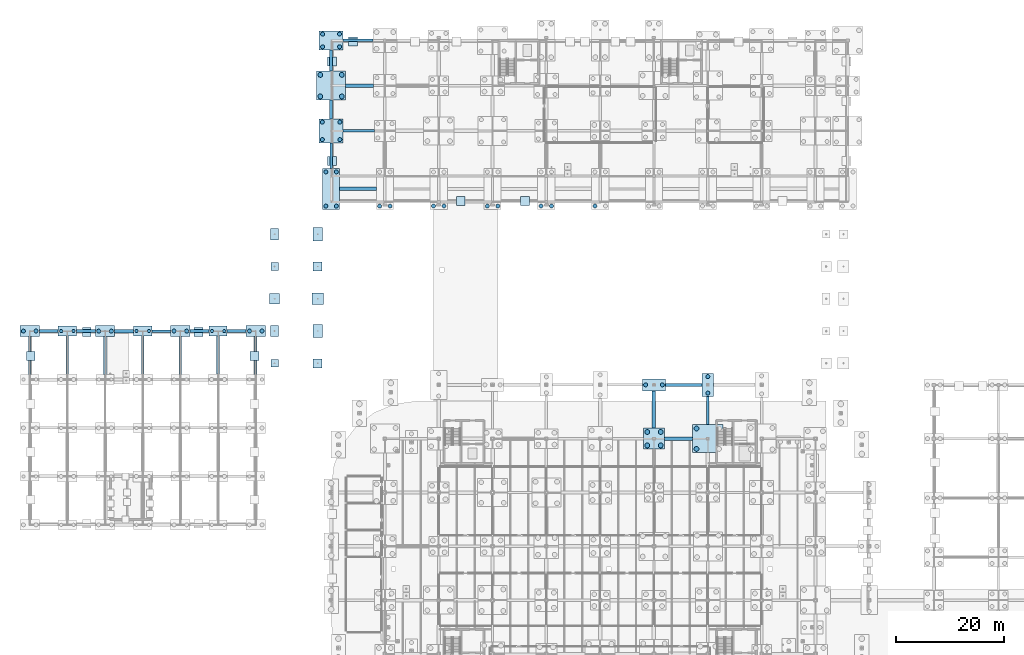
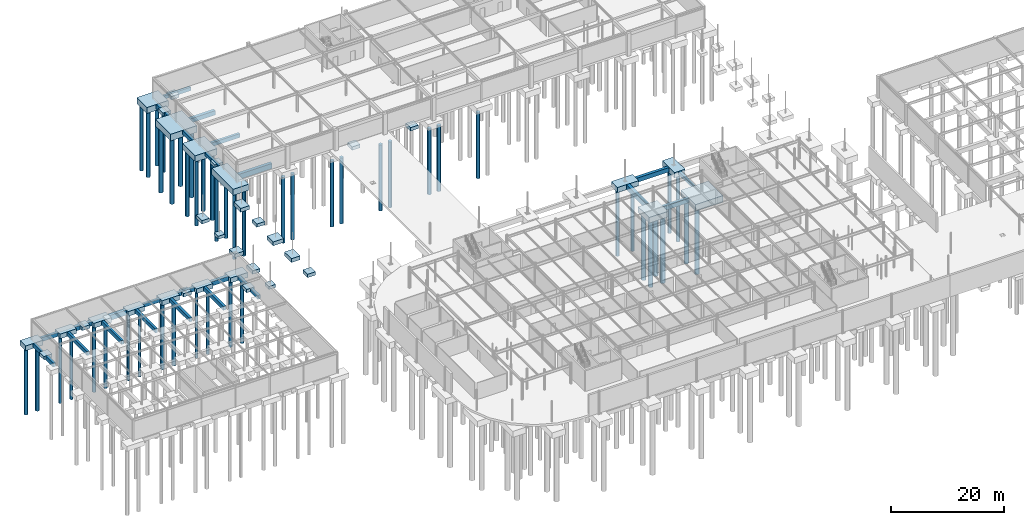
# One storey, part 5 of 75: 58 footings, 49 piles.
"""IFC4 building model written with IfcOpenShell, lengths in metres."""

from ifc_helpers import new_model, si_unit, derived_unit, direction, frame, origin, origin_2d_with_axis, place, context, subcontext, project, spatial, rectangle, circle, extrude, material, layer, layer_set, material_profile, profile_set, type_object, element, save


model = new_model("IFC4")

# Units and contexts
model_context = context("Model", 3, precision=1e-05, world=origin(), true_north=direction((0.0, 1.0)))
body_context = subcontext(model_context, "Body", "Model", "MODEL_VIEW")
ifc_project = project(units=[si_unit("LENGTHUNIT", "METRE"), si_unit("AREAUNIT", "SQUARE_METRE"), si_unit("VOLUMEUNIT", "CUBIC_METRE"), si_unit("PLANEANGLEUNIT", "RADIAN"), si_unit("MASSUNIT", "GRAM", prefix="KILO"), derived_unit("THERMALTRANSMITTANCEUNIT", [(si_unit("POWERUNIT", "WATT"), 1), (si_unit("LENGTHUNIT", "METRE"), -2), (si_unit("THERMODYNAMICTEMPERATUREUNIT", "KELVIN"), -1)])], contexts=[model_context])

# Site, building, storey
site_placement = place(None, origin())
site = spatial("IfcSite", under=ifc_project, at=site_placement, CompositionType="ELEMENT")
building_placement = place(site_placement, origin())
building = spatial("IfcBuilding", under=site, at=building_placement, Name="Cinnabar Yard Market Hall", CompositionType="ELEMENT")
storey_placement = place(building_placement, frame((0.0, 0.0, -4.5)))
storey = spatial("IfcBuildingStorey", under=building, at=storey_placement, Name="B1", CompositionType="ELEMENT", Elevation=-4.5)

# Footings
ifc_material = material(Name="Concrete 40 MPa", Category="concrete")
ifc_material_profile_1 = material_profile(ifc_material, rectangle(XDim=0.449951171875, YDim=0.75, at=origin_2d_with_axis()), Name="GB-450x750")
ifc_profile_set_1 = profile_set([ifc_material_profile_1], Name="Concrete 40 MPa")
footing_type_1 = type_object("IfcFootingType", Name="FT-GB01", PredefinedType="FOOTING_BEAM", material=ifc_profile_set_1)
footing_1_placement = place(storey_placement, frame((32.699951171875, 84.0, -0.824951171875), z_axis=(1.0, 0.0, 0.0), x_axis=(0.0, 1.0, 0.0)))
element("IfcFooting", 1, at=footing_1_placement, inside=storey, type_object=footing_type_1, Name="Ground Beam X 0108", PredefinedType="FOOTING_BEAM", context=body_context, shape_type="SweptSolid", body=[
    extrude(rectangle(XDim=0.449951171875, YDim=0.75, at=origin_2d_with_axis()), origin(), (0.0, 0.0, 1.0), 3.5),
])
footing_2_placement = place(storey_placement, frame((68.199951171875, 138.0, -0.824951171875), z_axis=(1.0, 0.0, 0.0), x_axis=(0.0, 1.0, 0.0)))
element("IfcFooting", 2, at=footing_2_placement, inside=storey, type_object=footing_type_1, Name="Ground Beam X 0140", PredefinedType="FOOTING_BEAM", context=body_context, shape_type="SweptSolid", body=[
    extrude(rectangle(XDim=0.449951171875, YDim=0.75, at=origin_2d_with_axis()), origin(), (0.0, 0.0, 1.0), 5.550048828125),
])
footing_3_placement = place(storey_placement, frame((66.0, 114.199951171875, -0.824951171875), z_axis=(0.0, 1.0, 0.0), x_axis=(-1.0, 0.0, 0.0)))
element("IfcFooting", 3, at=footing_3_placement, inside=storey, type_object=footing_type_1, Name="Ground Beam Y 0180", PredefinedType="FOOTING_BEAM", context=body_context, shape_type="SweptSolid", body=[
    extrude(rectangle(XDim=0.449951171875, YDim=0.75, at=origin_2d_with_axis()), origin(), (0.0, 0.0, 1.0), 4.75),
])
footing_4_placement = place(storey_placement, frame((136.0, 66.60009765625, -0.824951171875), z_axis=(0.0, 1.0, 0.0), x_axis=(-1.0, 0.0, 0.0)))
element("IfcFooting", 4, at=footing_4_placement, inside=storey, type_object=footing_type_1, Name="Ground Beam Y 0240", PredefinedType="FOOTING_BEAM", context=body_context, shape_type="SweptSolid", body=[
    extrude(rectangle(XDim=0.449951171875, YDim=0.75, at=origin_2d_with_axis()), origin(), (0.0, 0.0, 1.0), 5.25),
])
ifc_material_profile_2 = material_profile(ifc_material, rectangle(XDim=0.5, YDim=0.85009765625, at=origin_2d_with_axis()), Name="GB-500x850")
ifc_profile_set_2 = profile_set([ifc_material_profile_2], Name="Concrete 40 MPa")
footing_type_2 = type_object("IfcFootingType", Name="FT-GB02", PredefinedType="FOOTING_BEAM", material=ifc_profile_set_2)
for number, where, z_axis, x_axis, name in (
    (5, (11.800048828125, 84.0, -0.875), (1.0, 0.0, 0.0), (0.0, 1.0, 0.0), "Ground Beam X 0105"),
    (6, (39.800048828125, 84.0, -0.875), (1.0, 0.0, 0.0), (0.0, 1.0, 0.0), "Ground Beam X 0109"),
):
    element("IfcFooting", number, at=place(storey_placement, frame(where, z_axis=z_axis, x_axis=x_axis)), inside=storey, type_object=footing_type_2, Name=name, PredefinedType="FOOTING_BEAM", context=body_context, shape_type="SweptSolid", body=[
        extrude(rectangle(XDim=0.5, YDim=0.85009765625, at=origin_2d_with_axis()), origin(), (0.0, 0.0, 1.0), 3.5),
    ])
footing_5_placement = place(storey_placement, frame((68.25, 121.199951171875, -0.875), z_axis=(1.0, 0.0, 0.0), x_axis=(0.0, 1.0, 0.0)))
element("IfcFooting", 7, at=footing_5_placement, inside=storey, type_object=footing_type_2, Name="Ground Beam X 0121", PredefinedType="FOOTING_BEAM", context=body_context, shape_type="SweptSolid", body=[
    extrude(rectangle(XDim=0.5, YDim=0.85009765625, at=origin_2d_with_axis()), origin(), (0.0, 0.0, 1.0), 5.800048828125),
])
for number, where, z_axis, x_axis, name in (
    (8, (10.0, 75.89990234375, -0.875), (0.0, 1.0, 0.0), (-1.0, 0.0, 0.0), "Ground Beam Y 0153"),
    (9, (17.0, 76.0, -0.875), (0.0, 1.0, 0.0), (-1.0, 0.0, 0.0), "Ground Beam Y 0157"),
    (10, (24.0, 75.89990234375, -0.875), (0.0, 1.0, 0.0), (-1.0, 0.0, 0.0), "Ground Beam Y 0161"),
    (11, (31.0, 76.0, -0.875), (0.0, 1.0, 0.0), (-1.0, 0.0, 0.0), "Ground Beam Y 0165"),
    (12, (38.0, 75.89990234375, -0.875), (0.0, 1.0, 0.0), (-1.0, 0.0, 0.0), "Ground Beam Y 0169"),
    (13, (45.0, 76.0, -0.875), (0.0, 1.0, 0.0), (-1.0, 0.0, 0.0), "Ground Beam Y 0173"),
    (14, (52.0, 75.89990234375, -0.875), (0.0, 1.0, 0.0), (-1.0, 0.0, 0.0), "Ground Beam Y 0177"),
):
    element("IfcFooting", number, at=place(storey_placement, frame(where, z_axis=z_axis, x_axis=x_axis)), inside=storey, type_object=footing_type_2, Name=name, PredefinedType="FOOTING_BEAM", context=body_context, shape_type="SweptSolid", body=[
        extrude(rectangle(XDim=0.5, YDim=0.85009765625, at=origin_2d_with_axis()), origin(), (0.0, 0.0, 1.0), 7.10009765625),
    ])
footing_6_placement = place(storey_placement, frame((66.0, 123.449951171875, -0.875), z_axis=(0.0, 1.0, 0.0), x_axis=(-1.0, 0.0, 0.0)))
element("IfcFooting", 15, at=footing_6_placement, inside=storey, type_object=footing_type_2, Name="Ground Beam Y 0181", PredefinedType="FOOTING_BEAM", context=body_context, shape_type="SweptSolid", body=[
    extrude(rectangle(XDim=0.5, YDim=0.85009765625, at=origin_2d_with_axis()), origin(), (0.0, 0.0, 1.0), 3.449951171875),
])
ifc_material_profile_3 = material_profile(ifc_material, rectangle(XDim=0.60009765625, YDim=0.949951171875, at=origin_2d_with_axis()), Name="GB-600x950")
ifc_profile_set_3 = profile_set([ifc_material_profile_3], Name="Concrete 40 MPa")
footing_type_3 = type_object("IfcFootingType", Name="FT-GB03", PredefinedType="FOOTING_BEAM", material=ifc_profile_set_3)
footing_7_placement = place(storey_placement, frame((127.949951171875, 64.0, -0.925048828125), z_axis=(1.0, 0.0, 0.0), x_axis=(0.0, 1.0, 0.0)))
element("IfcFooting", 16, at=footing_7_placement, inside=storey, type_object=footing_type_3, Name="Ground Beam X 0078", PredefinedType="FOOTING_BEAM", context=body_context, shape_type="SweptSolid", body=[
    extrude(rectangle(XDim=0.60009765625, YDim=0.949951171875, at=origin_2d_with_axis()), origin(), (0.0, 0.0, 1.0), 5.25),
])
footing_8_placement = place(storey_placement, frame((128.175048828125, 74.0, -0.925048828125), z_axis=(1.0, 0.0, 0.0), x_axis=(0.0, 1.0, 0.0)))
element("IfcFooting", 17, at=footing_8_placement, inside=storey, type_object=footing_type_3, Name="Ground Beam X 0094", PredefinedType="FOOTING_BEAM", context=body_context, shape_type="SweptSolid", body=[
    extrude(rectangle(XDim=0.60009765625, YDim=0.949951171875, at=origin_2d_with_axis()), origin(), (0.0, 0.0, 1.0), 6.724853515625),
])
for number, where, z_axis, x_axis, name in (
    (18, (18.699951171875, 84.0, -0.925048828125), (1.0, 0.0, 0.0), (0.0, 1.0, 0.0), "Ground Beam X 0106"),
    (19, (46.699951171875, 84.0, -0.925048828125), (1.0, 0.0, 0.0), (0.0, 1.0, 0.0), "Ground Beam X 0110"),
):
    element("IfcFooting", number, at=place(storey_placement, frame(where, z_axis=z_axis, x_axis=x_axis)), inside=storey, type_object=footing_type_3, Name=name, PredefinedType="FOOTING_BEAM", context=body_context, shape_type="SweptSolid", body=[
        extrude(rectangle(XDim=0.60009765625, YDim=0.949951171875, at=origin_2d_with_axis()), origin(), (0.0, 0.0, 1.0), 3.5),
    ])
footing_9_placement = place(storey_placement, frame((68.699951171875, 129.60009765625, -0.925048828125), z_axis=(1.0, 0.0, 0.0), x_axis=(0.0, 1.0, 0.0)))
element("IfcFooting", 20, at=footing_9_placement, inside=storey, type_object=footing_type_3, Name="Ground Beam X 0130", PredefinedType="FOOTING_BEAM", context=body_context, shape_type="SweptSolid", body=[
    extrude(rectangle(XDim=0.60009765625, YDim=0.949951171875, at=origin_2d_with_axis()), origin(), (0.0, 0.0, 1.0), 5.199951171875),
])
footing_10_placement = place(storey_placement, frame((66.0, 132.300048828125, -0.925048828125), z_axis=(0.0, 1.0, 0.0), x_axis=(-1.0, 0.0, 0.0)))
element("IfcFooting", 21, at=footing_10_placement, inside=storey, type_object=footing_type_3, Name="Ground Beam Y 0182", PredefinedType="FOOTING_BEAM", context=body_context, shape_type="SweptSolid", body=[
    extrude(rectangle(XDim=0.60009765625, YDim=0.949951171875, at=origin_2d_with_axis()), origin(), (0.0, 0.0, 1.0), 3.89990234375),
])
ifc_material_profile_4 = material_profile(ifc_material, rectangle(XDim=0.64990234375, YDim=1.10009765625, at=origin_2d_with_axis()), Name="GB-650x1100")
ifc_profile_set_4 = profile_set([ifc_material_profile_4], Name="Concrete 40 MPa")
footing_type_4 = type_object("IfcFootingType", Name="FT-GB04", PredefinedType="FOOTING_BEAM", material=ifc_profile_set_4)
footing_11_placement = place(storey_placement, frame((25.800048828125, 84.0, -1.0), z_axis=(1.0, 0.0, 0.0), x_axis=(0.0, 1.0, 0.0)))
element("IfcFooting", 22, at=footing_11_placement, inside=storey, type_object=footing_type_4, Name="Ground Beam X 0107", PredefinedType="FOOTING_BEAM", context=body_context, shape_type="SweptSolid", body=[
    extrude(rectangle(XDim=0.64990234375, YDim=1.10009765625, at=origin_2d_with_axis()), origin(), (0.0, 0.0, 1.0), 3.5),
])
footing_12_placement = place(storey_placement, frame((67.60009765625, 110.39990234375, -1.0), z_axis=(1.0, 0.0, 0.0), x_axis=(0.0, 1.0, 0.0)))
element("IfcFooting", 23, at=footing_12_placement, inside=storey, type_object=footing_type_4, Name="Ground Beam X 0111", PredefinedType="FOOTING_BEAM", context=body_context, shape_type="SweptSolid", body=[
    extrude(rectangle(XDim=0.64990234375, YDim=1.10009765625, at=origin_2d_with_axis()), origin(), (0.0, 0.0, 1.0), 6.7998046875),
])
footing_13_placement = place(storey_placement, frame((126.0, 65.949951171875, -1.0), z_axis=(0.0, 1.0, 0.0), x_axis=(-1.0, 0.0, 0.0)))
element("IfcFooting", 24, at=footing_13_placement, inside=storey, type_object=footing_type_4, Name="Ground Beam Y 0231", PredefinedType="FOOTING_BEAM", context=body_context, shape_type="SweptSolid", body=[
    extrude(rectangle(XDim=0.64990234375, YDim=1.10009765625, at=origin_2d_with_axis()), origin(), (0.0, 0.0, 1.0), 6.949951171875),
])
ifc_layer_1 = layer(ifc_material, 1.0)
ifc_layer_set_1 = layer_set([ifc_layer_1], Name="Concrete 40 MPa")
footing_type_5 = type_object("IfcFootingType", Name="FT-PC01", PredefinedType="PILE_CAP", material=ifc_layer_set_1)
for number, where, z_axis, x_axis, name in (
    (25, (17.0, 84.0, -1.449951171875), (0.0, 0.0, 1.0), (1.0, 0.0, 0.0), "Pile Cap V2-02-05"),
    (26, (31.0, 84.0, -1.449951171875), (0.0, 0.0, 1.0), (1.0, 0.0, 0.0), "Pile Cap V2-04-05"),
    (27, (45.0, 84.0, -1.449951171875), (0.0, 0.0, 1.0), (1.0, 0.0, 0.0), "Pile Cap V2-06-05"),
):
    element("IfcFooting", number, at=place(storey_placement, frame(where, z_axis=z_axis, x_axis=x_axis)), inside=storey, type_object=footing_type_5, Name=name, PredefinedType="PILE_CAP", context=body_context, shape_type="SweptSolid", body=[
        extrude(rectangle(XDim=3.39990234375, YDim=1.800048828125, at=origin_2d_with_axis()), origin(), (0.0, 0.0, 1.0), 1.0),
    ])
ifc_layer_2 = layer(ifc_material, 1.050048828125)
ifc_layer_set_2 = layer_set([ifc_layer_2], Name="Concrete 40 MPa")
footing_type_6 = type_object("IfcFootingType", Name="FT-PC02", PredefinedType="PILE_CAP", material=ifc_layer_set_2)
for number, where, z_axis, x_axis, name in (
    (28, (10.0, 84.0, -1.5), (0.0, 0.0, 1.0), (1.0, 0.0, 0.0), "Pile Cap V2-01-05"),
    (29, (24.0, 84.0, -1.5), (0.0, 0.0, 1.0), (1.0, 0.0, 0.0), "Pile Cap V2-03-05"),
    (30, (38.0, 84.0, -1.5), (0.0, 0.0, 1.0), (1.0, 0.0, 0.0), "Pile Cap V2-05-05"),
    (31, (52.0, 84.0, -1.5), (0.0, 0.0, 1.0), (1.0, 0.0, 0.0), "Pile Cap V2-07-05"),
):
    element("IfcFooting", number, at=place(storey_placement, frame(where, z_axis=z_axis, x_axis=x_axis)), inside=storey, type_object=footing_type_6, Name=name, PredefinedType="PILE_CAP", context=body_context, shape_type="SweptSolid", body=[
        extrude(rectangle(XDim=3.60009765625, YDim=2.0, at=origin_2d_with_axis()), origin(), (0.0, 0.0, 1.0), 1.050048828125),
    ])
ifc_layer_3 = layer(ifc_material, 1.199951171875)
ifc_layer_set_3 = layer_set([ifc_layer_3], Name="Concrete 40 MPa")
footing_type_7 = type_object("IfcFootingType", Name="FT-PC04", PredefinedType="PILE_CAP", material=ifc_layer_set_3)
footing_14_placement = place(storey_placement, frame((126.0, 64.0, -1.64990234375), z_axis=(0.0, 0.0, 1.0), x_axis=(1.0, 0.0, 0.0)))
element("IfcFooting", 32, at=footing_14_placement, inside=storey, type_object=footing_type_7, Name="Pile Cap V1I-06-05", PredefinedType="PILE_CAP", context=body_context, shape_type="SweptSolid", body=[
    extrude(rectangle(XDim=3.89990234375, YDim=3.89990234375, at=origin_2d_with_axis()), origin(), (0.0, 0.0, 1.0), 1.199951171875),
])
ifc_layer_4 = layer(ifc_material, 1.35009765625)
ifc_layer_set_4 = layer_set([ifc_layer_4], Name="Concrete 40 MPa")
footing_type_8 = type_object("IfcFootingType", Name="FT-PC06", PredefinedType="PILE_CAP", material=ifc_layer_set_4)
footing_15_placement = place(storey_placement, frame((66.0, 121.199951171875, -1.800048828125), z_axis=(0.0, 0.0, 1.0), x_axis=(1.0, 0.0, 0.0)))
element("IfcFooting", 33, at=footing_15_placement, inside=storey, type_object=footing_type_8, Name="Pile Cap V3-01-03", PredefinedType="PILE_CAP", context=body_context, shape_type="SweptSolid", body=[
    extrude(rectangle(XDim=4.5, YDim=4.5, at=origin_2d_with_axis()), origin(), (0.0, 0.0, 1.0), 1.35009765625),
])
ifc_layer_5 = layer(ifc_material, 1.14990234375)
ifc_layer_set_5 = layer_set([ifc_layer_5], Name="Concrete 40 MPa")
footing_type_9 = type_object("IfcFootingType", Name="FT-PC07", PredefinedType="PILE_CAP", material=ifc_layer_set_5)
footing_16_placement = place(storey_placement, frame((136.0, 74.0, -1.599853515625), z_axis=(0.0, 0.0, 1.0), x_axis=(1.0, 0.0, 0.0)))
element("IfcFooting", 34, at=footing_16_placement, inside=storey, type_object=footing_type_9, Name="Pile Cap V1N-06", PredefinedType="PILE_CAP", context=body_context, shape_type="SweptSolid", body=[
    extrude(rectangle(XDim=2.199951171875, YDim=4.300048828125, at=origin_2d_with_axis()), origin(), (0.0, 0.0, 1.0), 1.14990234375),
])
ifc_layer_6 = layer(ifc_material, 1.449951171875)
ifc_layer_set_6 = layer_set([ifc_layer_6], Name="Concrete 40 MPa")
footing_type_10 = type_object("IfcFootingType", Name="FT-PC12", PredefinedType="PILE_CAP", material=ifc_layer_set_6)
footing_17_placement = place(storey_placement, frame((66.0, 129.60009765625, -1.89990234375), z_axis=(0.0, 0.0, 1.0), x_axis=(1.0, 0.0, 0.0)))
element("IfcFooting", 35, at=footing_17_placement, inside=storey, type_object=footing_type_10, Name="Pile Cap V3-01-04", PredefinedType="PILE_CAP", context=body_context, shape_type="SweptSolid", body=[
    extrude(rectangle(XDim=5.39990234375, YDim=5.39990234375, at=origin_2d_with_axis()), origin(), (0.0, 0.0, 1.0), 1.449951171875),
])
ifc_layer_7 = layer(ifc_material, 1.10009765625)
ifc_layer_set_7 = layer_set([ifc_layer_7], Name="Concrete 40 MPa")
footing_type_11 = type_object("IfcFootingType", Name="FT-PC13", PredefinedType="PILE_CAP", material=ifc_layer_set_7)
footing_18_placement = place(storey_placement, frame((126.0, 74.0, -1.550048828125), z_axis=(0.0, 0.0, 1.0), x_axis=(1.0, 0.0, 0.0)))
element("IfcFooting", 36, at=footing_18_placement, inside=storey, type_object=footing_type_11, Name="Pile Cap V1N-05", PredefinedType="PILE_CAP", context=body_context, shape_type="SweptSolid", body=[
    extrude(rectangle(XDim=4.35009765625, YDim=2.199951171875, at=origin_2d_with_axis()), origin(), (0.0, 0.0, 1.0), 1.10009765625),
])
ifc_layer_8 = layer(ifc_material, 1.300048828125)
ifc_layer_set_8 = layer_set([ifc_layer_8], Name="Concrete 40 MPa")
footing_type_12 = type_object("IfcFootingType", Name="FT-PC15", PredefinedType="PILE_CAP", material=ifc_layer_set_8)
footing_19_placement = place(storey_placement, frame((66.0, 138.0, -1.75), z_axis=(0.0, 0.0, 1.0), x_axis=(1.0, 0.0, 0.0)))
element("IfcFooting", 37, at=footing_19_placement, inside=storey, type_object=footing_type_12, Name="Pile Cap V3-01-05", PredefinedType="PILE_CAP", context=body_context, shape_type="SweptSolid", body=[
    extrude(rectangle(XDim=4.39990234375, YDim=3.60009765625, at=origin_2d_with_axis()), origin(), (0.0, 0.0, 1.0), 1.300048828125),
])
ifc_layer_9 = layer(ifc_material, 1.39990234375)
ifc_layer_set_9 = layer_set([ifc_layer_9], Name="Concrete 40 MPa")
footing_type_13 = type_object("IfcFootingType", Name="FT-PC16", PredefinedType="PILE_CAP", material=ifc_layer_set_9)
footing_20_placement = place(storey_placement, frame((136.0, 64.0, -1.849853515625), z_axis=(0.0, 0.0, 1.0), x_axis=(1.0, 0.0, 0.0)))
element("IfcFooting", 38, at=footing_20_placement, inside=storey, type_object=footing_type_13, Name="Pile Cap V1I-07-05", PredefinedType="PILE_CAP", context=body_context, shape_type="SweptSolid", body=[
    extrude(rectangle(XDim=5.60009765625, YDim=5.199951171875, at=origin_2d_with_axis()), origin(), (0.0, 0.0, 1.0), 1.39990234375),
])
ifc_layer_10 = layer(ifc_material, 1.35009765625)
ifc_layer_set_10 = layer_set([ifc_layer_10], Name="Concrete 40 MPa")
footing_type_14 = type_object("IfcFootingType", Name="FT-PC17", PredefinedType="PILE_CAP", material=ifc_layer_set_10)
footing_21_placement = place(storey_placement, frame((66.0, 110.39990234375, -1.800048828125), z_axis=(0.0, 0.0, 1.0), x_axis=(1.0, 0.0, 0.0)))
element("IfcFooting", 39, at=footing_21_placement, inside=storey, type_object=footing_type_14, Name="Pile Cap V3-01-01-PAIR", PredefinedType="PILE_CAP", context=body_context, shape_type="SweptSolid", body=[
    extrude(rectangle(XDim=3.199951171875, YDim=7.60009765625, at=origin_2d_with_axis()), origin(), (0.0, 0.0, 1.0), 1.35009765625),
])
ifc_layer_11 = layer(ifc_material, 0.64990234375)
ifc_layer_set_11 = layer_set([ifc_layer_11], Name="Concrete 40 MPa")
footing_type_15 = type_object("IfcFootingType", Name="FT-PF01", PredefinedType="PAD_FOOTING", material=ifc_layer_set_11)
for number, where, z_axis, x_axis, name in (
    (40, (55.5, 78.0, -1.099853515625), (0.0, 0.0, 1.0), (1.0, 0.0, 0.0), "Pad Footing V5W-A1"),
    (41, (55.5, 96.0, -1.099853515625), (0.0, 0.0, 1.0), (1.0, 0.0, 0.0), "Pad Footing V5W-A4"),
):
    element("IfcFooting", number, at=place(storey_placement, frame(where, z_axis=z_axis, x_axis=x_axis)), inside=storey, type_object=footing_type_15, Name=name, PredefinedType="PAD_FOOTING", context=body_context, shape_type="SweptSolid", body=[
        extrude(rectangle(XDim=1.39990234375, YDim=1.39990234375, at=origin_2d_with_axis()), origin(), (0.0, 0.0, 1.0), 0.64990234375),
    ])
ifc_layer_12 = layer(ifc_material, 0.719970703125)
ifc_layer_set_12 = layer_set([ifc_layer_12], Name="Concrete 40 MPa")
footing_type_16 = type_object("IfcFootingType", Name="FT-PF02", PredefinedType="PAD_FOOTING", material=ifc_layer_set_12)
for number, where, z_axis, x_axis, name in (
    (42, (63.5, 78.0, -1.169921875), (0.0, 0.0, 1.0), (1.0, 0.0, 0.0), "Pad Footing V5W-B1"),
    (43, (63.5, 96.0, -1.169921875), (0.0, 0.0, 1.0), (1.0, 0.0, 0.0), "Pad Footing V5W-B4"),
    (44, (41.39990234375, 83.800048828125, -1.169921875), (0.0, 0.0, 1.0), (1.0, 0.0, 0.0), "Wall Pad B1-RET-V2N-2"),
    (45, (20.60009765625, 83.800048828125, -1.169921875), (0.0, 0.0, 1.0), (1.0, 0.0, 0.0), "Wall Pad B1-RET-V2N-6"),
    (46, (10.199951171875, 79.35009765625, -1.169921875), (0.0, 0.0, 1.0), (1.0, 0.0, 0.0), "Wall Pad B1-RET-V2W-1"),
    (47, (51.800048828125, 79.35009765625, -1.169921875), (0.0, 0.0, 1.0), (1.0, 0.0, 0.0), "Wall Pad B1-RET-V2E-7"),
    (48, (70.052978515625, 137.800048828125, -1.169921875), (0.0, 0.0, 1.0), (1.0, 0.0, 0.0), "Wall Pad B1-RET-V3N1-1"),
    (49, (90.10009765625, 108.199951171875, -1.169921875), (0.0, 0.0, 1.0), (1.0, 0.0, 0.0), "Wall Pad B1-RET-V3S-2"),
    (50, (102.050048828125, 108.199951171875, -1.169921875), (0.0, 0.0, 1.0), (1.0, 0.0, 0.0), "Wall Pad B1-RET-V3S-3"),
    (51, (66.199951171875, 134.10009765625, -1.169921875), (0.0, 0.0, 1.0), (1.0, 0.0, 0.0), "Wall Pad B1-RET-V3W-1"),
    (52, (66.199951171875, 115.60009765625, -1.169921875), (0.0, 0.0, 1.0), (1.0, 0.0, 0.0), "Wall Pad B1-RET-V3W-6"),
):
    element("IfcFooting", number, at=place(storey_placement, frame(where, z_axis=z_axis, x_axis=x_axis)), inside=storey, type_object=footing_type_16, Name=name, PredefinedType="PAD_FOOTING", context=body_context, shape_type="SweptSolid", body=[
        extrude(rectangle(XDim=1.64990234375, YDim=1.64990234375, at=origin_2d_with_axis()), origin(), (0.0, 0.0, 1.0), 0.719970703125),
    ])
ifc_layer_13 = layer(ifc_material, 0.780029296875)
ifc_layer_set_13 = layer_set([ifc_layer_13], Name="Concrete 40 MPa")
footing_type_17 = type_object("IfcFootingType", Name="FT-PF03", PredefinedType="PAD_FOOTING", material=ifc_layer_set_13)
footing_22_placement = place(storey_placement, frame((55.5, 90.0, -1.22998046875), z_axis=(0.0, 0.0, 1.0), x_axis=(1.0, 0.0, 0.0)))
element("IfcFooting", 53, at=footing_22_placement, inside=storey, type_object=footing_type_17, Name="Pad Footing V5W-A3", PredefinedType="PAD_FOOTING", context=body_context, shape_type="SweptSolid", body=[
    extrude(rectangle(XDim=1.89990234375, YDim=1.89990234375, at=origin_2d_with_axis()), origin(), (0.0, 0.0, 1.0), 0.780029296875),
])
ifc_layer_14 = layer(ifc_material, 0.840087890625)
ifc_layer_set_14 = layer_set([ifc_layer_14], Name="Concrete 40 MPa")
footing_type_18 = type_object("IfcFootingType", Name="FT-PF04", PredefinedType="PAD_FOOTING", material=ifc_layer_set_14)
footing_23_placement = place(storey_placement, frame((63.5, 90.0, -1.2900390625), z_axis=(0.0, 0.0, 1.0), x_axis=(1.0, 0.0, 0.0)))
element("IfcFooting", 54, at=footing_23_placement, inside=storey, type_object=footing_type_18, Name="Pad Footing V5W-B3", PredefinedType="PAD_FOOTING", context=body_context, shape_type="SweptSolid", body=[
    extrude(rectangle(XDim=2.14990234375, YDim=2.14990234375, at=origin_2d_with_axis()), origin(), (0.0, 0.0, 1.0), 0.840087890625),
])
ifc_layer_15 = layer(ifc_material, 0.739990234375)
ifc_layer_set_15 = layer_set([ifc_layer_15], Name="Concrete 40 MPa")
footing_type_19 = type_object("IfcFootingType", Name="FT-PF05", PredefinedType="PAD_FOOTING", material=ifc_layer_set_15)
for number, where, z_axis, x_axis, name in (
    (55, (55.5, 84.0, -1.18994140625), (0.0, 0.0, 1.0), (1.0, 0.0, 0.0), "Pad Footing V5W-A2"),
    (56, (55.5, 102.0, -1.18994140625), (0.0, 0.0, 1.0), (1.0, 0.0, 0.0), "Pad Footing V5W-A5"),
):
    element("IfcFooting", number, at=place(storey_placement, frame(where, z_axis=z_axis, x_axis=x_axis)), inside=storey, type_object=footing_type_19, Name=name, PredefinedType="PAD_FOOTING", context=body_context, shape_type="SweptSolid", body=[
        extrude(rectangle(XDim=1.5, YDim=2.10009765625, at=origin_2d_with_axis()), origin(), (0.0, 0.0, 1.0), 0.739990234375),
    ])
ifc_layer_16 = layer(ifc_material, 0.820068359375)
ifc_layer_set_16 = layer_set([ifc_layer_16], Name="Concrete 40 MPa")
footing_type_20 = type_object("IfcFootingType", Name="FT-PF06", PredefinedType="PAD_FOOTING", material=ifc_layer_set_16)
for number, where, z_axis, x_axis, name in (
    (57, (63.5, 84.0, -1.27001953125), (0.0, 0.0, 1.0), (1.0, 0.0, 0.0), "Pad Footing V5W-B2"),
    (58, (63.5, 102.0, -1.27001953125), (0.0, 0.0, 1.0), (1.0, 0.0, 0.0), "Pad Footing V5W-B5"),
):
    element("IfcFooting", number, at=place(storey_placement, frame(where, z_axis=z_axis, x_axis=x_axis)), inside=storey, type_object=footing_type_20, Name=name, PredefinedType="PAD_FOOTING", context=body_context, shape_type="SweptSolid", body=[
        extrude(rectangle(XDim=1.800048828125, YDim=2.449951171875, at=origin_2d_with_axis()), origin(), (0.0, 0.0, 1.0), 0.820068359375),
    ])

# Piles
ifc_material_profile_5 = material_profile(ifc_material, circle(Radius=0.300048828125, at=origin_2d_with_axis()), Name="PILE-D600")
ifc_profile_set_5 = profile_set([ifc_material_profile_5], Name="Concrete 40 MPa")
pile_type_1 = type_object("IfcPileType", Name="PILE-PL600", PredefinedType="BORED", material=ifc_profile_set_5)
for number, where, z_axis, x_axis, name in (
    (59, (15.85009765625, 84.0, -1.35009765625), (0.0, 0.0, -1.0), (1.0, 0.0, 0.0), "Bored Pile 0277"),
    (60, (18.14990234375, 84.0, -1.35009765625), (0.0, 0.0, -1.0), (1.0, 0.0, 0.0), "Bored Pile 0278"),
    (61, (29.85009765625, 84.0, -1.35009765625), (0.0, 0.0, -1.0), (1.0, 0.0, 0.0), "Bored Pile 0297"),
    (62, (32.14990234375, 84.0, -1.35009765625), (0.0, 0.0, -1.0), (1.0, 0.0, 0.0), "Bored Pile 0298"),
    (63, (43.85009765625, 84.0, -1.35009765625), (0.0, 0.0, -1.0), (1.0, 0.0, 0.0), "Bored Pile 0317"),
    (64, (46.14990234375, 84.0, -1.35009765625), (0.0, 0.0, -1.0), (1.0, 0.0, 0.0), "Bored Pile 0318"),
):
    element("IfcPile", number, at=place(storey_placement, frame(where, z_axis=z_axis, x_axis=x_axis)), inside=storey, type_object=pile_type_1, Name=name, PredefinedType="BORED", context=body_context, shape_type="SweptSolid", body=[
        extrude(circle(Radius=0.300048828125, at=origin_2d_with_axis()), origin(), (0.0, 0.0, 1.0), 14.64990234375),
    ])
ifc_material_profile_6 = material_profile(ifc_material, circle(Radius=0.375, at=origin_2d_with_axis()), Name="PILE-D750")
ifc_profile_set_6 = profile_set([ifc_material_profile_6], Name="Concrete 40 MPa")
pile_type_2 = type_object("IfcPileType", Name="PILE-PL750", PredefinedType="BORED", material=ifc_profile_set_6)
for number, where, z_axis, x_axis, name in (
    (65, (124.449951171875, 74.0, -1.449951171875), (0.0, 0.0, -1.0), (1.0, 0.0, 0.0), "Bored Pile 0199"),
    (66, (127.550048828125, 74.0, -1.449951171875), (0.0, 0.0, -1.0), (1.0, 0.0, 0.0), "Bored Pile 0200"),
):
    element("IfcPile", number, at=place(storey_placement, frame(where, z_axis=z_axis, x_axis=x_axis)), inside=storey, type_object=pile_type_2, Name=name, PredefinedType="BORED", context=body_context, shape_type="SweptSolid", body=[
        extrude(circle(Radius=0.375, at=origin_2d_with_axis()), origin(), (0.0, 0.0, 1.0), 14.550048828125),
    ])
for number, where, z_axis, x_axis, name in (
    (67, (136.0, 72.47509765625, -1.5), (0.0, 0.0, -1.0), (1.0, 0.0, 0.0), "Bored Pile 0203"),
    (68, (136.0, 75.52490234375, -1.5), (0.0, 0.0, -1.0), (1.0, 0.0, 0.0), "Bored Pile 0204"),
):
    element("IfcPile", number, at=place(storey_placement, frame(where, z_axis=z_axis, x_axis=x_axis)), inside=storey, type_object=pile_type_2, Name=name, PredefinedType="BORED", context=body_context, shape_type="SweptSolid", body=[
        extrude(circle(Radius=0.375, at=origin_2d_with_axis()), origin(), (0.0, 0.0, 1.0), 14.5),
    ])
for number, where, z_axis, x_axis, name in (
    (69, (8.824951171875, 84.0, -1.39990234375), (0.0, 0.0, -1.0), (1.0, 0.0, 0.0), "Bored Pile 0267"),
    (70, (11.175048828125, 84.0, -1.39990234375), (0.0, 0.0, -1.0), (1.0, 0.0, 0.0), "Bored Pile 0268"),
    (71, (22.824951171875, 84.0, -1.39990234375), (0.0, 0.0, -1.0), (1.0, 0.0, 0.0), "Bored Pile 0287"),
    (72, (25.175048828125, 84.0, -1.39990234375), (0.0, 0.0, -1.0), (1.0, 0.0, 0.0), "Bored Pile 0288"),
    (73, (36.824951171875, 84.0, -1.39990234375), (0.0, 0.0, -1.0), (1.0, 0.0, 0.0), "Bored Pile 0307"),
    (74, (39.175048828125, 84.0, -1.39990234375), (0.0, 0.0, -1.0), (1.0, 0.0, 0.0), "Bored Pile 0308"),
    (75, (50.824951171875, 84.0, -1.39990234375), (0.0, 0.0, -1.0), (1.0, 0.0, 0.0), "Bored Pile 0327"),
    (76, (53.175048828125, 84.0, -1.39990234375), (0.0, 0.0, -1.0), (1.0, 0.0, 0.0), "Bored Pile 0328"),
):
    element("IfcPile", number, at=place(storey_placement, frame(where, z_axis=z_axis, x_axis=x_axis)), inside=storey, type_object=pile_type_2, Name=name, PredefinedType="BORED", context=body_context, shape_type="SweptSolid", body=[
        extrude(circle(Radius=0.375, at=origin_2d_with_axis()), origin(), (0.0, 0.0, 1.0), 14.60009765625),
    ])
for number, where, z_axis, x_axis, name in (
    (77, (65.02490234375, 107.22509765625, -1.699951171875), (0.0, 0.0, -1.0), (1.0, 0.0, 0.0), "Bored Pile 0329"),
    (78, (66.97509765625, 107.22509765625, -1.699951171875), (0.0, 0.0, -1.0), (1.0, 0.0, 0.0), "Bored Pile 0330"),
    (79, (65.02490234375, 113.574951171875, -1.699951171875), (0.0, 0.0, -1.0), (1.0, 0.0, 0.0), "Bored Pile 0331"),
    (80, (66.97509765625, 113.574951171875, -1.699951171875), (0.0, 0.0, -1.0), (1.0, 0.0, 0.0), "Bored Pile 0332"),
    (81, (64.375, 119.574951171875, -1.699951171875), (0.0, 0.0, -1.0), (1.0, 0.0, 0.0), "Bored Pile 0333"),
    (82, (67.625, 119.574951171875, -1.699951171875), (0.0, 0.0, -1.0), (1.0, 0.0, 0.0), "Bored Pile 0334"),
    (83, (64.375, 122.824951171875, -1.699951171875), (0.0, 0.0, -1.0), (1.0, 0.0, 0.0), "Bored Pile 0335"),
    (84, (67.625, 122.824951171875, -1.699951171875), (0.0, 0.0, -1.0), (1.0, 0.0, 0.0), "Bored Pile 0336"),
):
    element("IfcPile", number, at=place(storey_placement, frame(where, z_axis=z_axis, x_axis=x_axis)), inside=storey, type_object=pile_type_2, Name=name, PredefinedType="BORED", context=body_context, shape_type="SweptSolid", body=[
        extrude(circle(Radius=0.375, at=origin_2d_with_axis()), origin(), (0.0, 0.0, 1.0), 14.300048828125),
    ])
for number, where, z_axis, x_axis, name in (
    (85, (64.425048828125, 136.824951171875, -1.64990234375), (0.0, 0.0, -1.0), (1.0, 0.0, 0.0), "Bored Pile 0341"),
    (86, (67.574951171875, 136.824951171875, -1.64990234375), (0.0, 0.0, -1.0), (1.0, 0.0, 0.0), "Bored Pile 0342"),
    (87, (64.425048828125, 139.175048828125, -1.64990234375), (0.0, 0.0, -1.0), (1.0, 0.0, 0.0), "Bored Pile 0343"),
    (88, (67.574951171875, 139.175048828125, -1.64990234375), (0.0, 0.0, -1.0), (1.0, 0.0, 0.0), "Bored Pile 0344"),
):
    element("IfcPile", number, at=place(storey_placement, frame(where, z_axis=z_axis, x_axis=x_axis)), inside=storey, type_object=pile_type_2, Name=name, PredefinedType="BORED", context=body_context, shape_type="SweptSolid", body=[
        extrude(circle(Radius=0.375, at=origin_2d_with_axis()), origin(), (0.0, 0.0, 1.0), 14.35009765625),
    ])
for number, where, z_axis, x_axis, name in (
    (89, (75.02490234375, 107.22509765625, -1.699951171875), (0.0, 0.0, -1.0), (1.0, 0.0, 0.0), "Bored Pile 0345"),
    (90, (76.97509765625, 107.22509765625, -1.699951171875), (0.0, 0.0, -1.0), (1.0, 0.0, 0.0), "Bored Pile 0346"),
    (91, (85.02490234375, 107.22509765625, -1.699951171875), (0.0, 0.0, -1.0), (1.0, 0.0, 0.0), "Bored Pile 0361"),
    (92, (86.97509765625, 107.22509765625, -1.699951171875), (0.0, 0.0, -1.0), (1.0, 0.0, 0.0), "Bored Pile 0362"),
    (93, (95.02490234375, 107.22509765625, -1.699951171875), (0.0, 0.0, -1.0), (1.0, 0.0, 0.0), "Bored Pile 0377"),
    (94, (96.97509765625, 107.22509765625, -1.699951171875), (0.0, 0.0, -1.0), (1.0, 0.0, 0.0), "Bored Pile 0378"),
    (95, (105.02490234375, 107.22509765625, -1.699951171875), (0.0, 0.0, -1.0), (1.0, 0.0, 0.0), "Bored Pile 0393"),
    (96, (106.97509765625, 107.22509765625, -1.699951171875), (0.0, 0.0, -1.0), (1.0, 0.0, 0.0), "Bored Pile 0394"),
    (97, (115.02490234375, 107.22509765625, -1.699951171875), (0.0, 0.0, -1.0), (1.0, 0.0, 0.0), "Bored Pile 0409"),
):
    element("IfcPile", number, at=place(storey_placement, frame(where, z_axis=z_axis, x_axis=x_axis)), inside=storey, type_object=pile_type_2, Name=name, PredefinedType="BORED", context=body_context, shape_type="SweptSolid", body=[
        extrude(circle(Radius=0.375, at=origin_2d_with_axis()), origin(), (0.0, 0.0, 1.0), 14.300048828125),
    ])
ifc_material_profile_7 = material_profile(ifc_material, circle(Radius=0.449951171875, at=origin_2d_with_axis()), Name="PILE-D900")
ifc_profile_set_7 = profile_set([ifc_material_profile_7], Name="Concrete 40 MPa")
pile_type_3 = type_object("IfcPileType", Name="PILE-PL900", PredefinedType="BORED", material=ifc_profile_set_7)
for number, where, z_axis, x_axis, name in (
    (98, (124.75, 62.75, -1.550048828125), (0.0, 0.0, -1.0), (1.0, 0.0, 0.0), "Bored Pile 0117"),
    (99, (127.25, 62.75, -1.550048828125), (0.0, 0.0, -1.0), (1.0, 0.0, 0.0), "Bored Pile 0118"),
    (100, (124.75, 65.25, -1.550048828125), (0.0, 0.0, -1.0), (1.0, 0.0, 0.0), "Bored Pile 0119"),
    (101, (127.25, 65.25, -1.550048828125), (0.0, 0.0, -1.0), (1.0, 0.0, 0.0), "Bored Pile 0120"),
):
    element("IfcPile", number, at=place(storey_placement, frame(where, z_axis=z_axis, x_axis=x_axis)), inside=storey, type_object=pile_type_3, Name=name, PredefinedType="BORED", context=body_context, shape_type="SweptSolid", body=[
        extrude(circle(Radius=0.449951171875, at=origin_2d_with_axis()), origin(), (0.0, 0.0, 1.0), 14.449951171875),
    ])
for number, where, z_axis, x_axis, name in (
    (102, (133.89990234375, 62.10009765625, -1.75), (0.0, 0.0, -1.0), (1.0, 0.0, 0.0), "Bored Pile 0137"),
    (103, (133.89990234375, 65.89990234375, -1.75), (0.0, 0.0, -1.0), (1.0, 0.0, 0.0), "Bored Pile 0139"),
):
    element("IfcPile", number, at=place(storey_placement, frame(where, z_axis=z_axis, x_axis=x_axis)), inside=storey, type_object=pile_type_3, Name=name, PredefinedType="BORED", context=body_context, shape_type="SweptSolid", body=[
        extrude(circle(Radius=0.449951171875, at=origin_2d_with_axis()), origin(), (0.0, 0.0, 1.0), 14.25),
    ])
for number, where, z_axis, x_axis, name in (
    (104, (64.0, 127.60009765625, -1.800048828125), (0.0, 0.0, -1.0), (1.0, 0.0, 0.0), "Bored Pile 0337"),
    (105, (68.0, 127.60009765625, -1.800048828125), (0.0, 0.0, -1.0), (1.0, 0.0, 0.0), "Bored Pile 0338"),
    (106, (64.0, 131.60009765625, -1.800048828125), (0.0, 0.0, -1.0), (1.0, 0.0, 0.0), "Bored Pile 0339"),
    (107, (68.0, 131.60009765625, -1.800048828125), (0.0, 0.0, -1.0), (1.0, 0.0, 0.0), "Bored Pile 0340"),
):
    element("IfcPile", number, at=place(storey_placement, frame(where, z_axis=z_axis, x_axis=x_axis)), inside=storey, type_object=pile_type_3, Name=name, PredefinedType="BORED", context=body_context, shape_type="SweptSolid", body=[
        extrude(circle(Radius=0.449951171875, at=origin_2d_with_axis()), origin(), (0.0, 0.0, 1.0), 14.199951171875),
    ])

save(model, "model.ifc")
